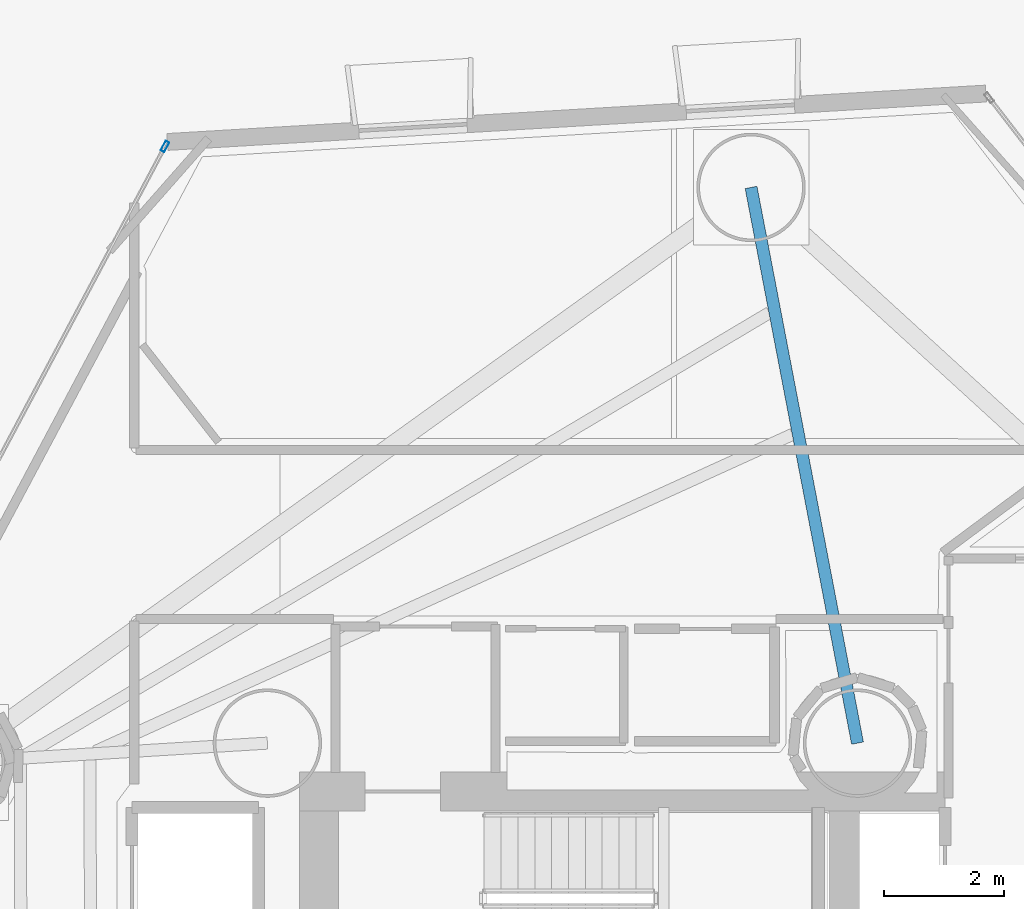
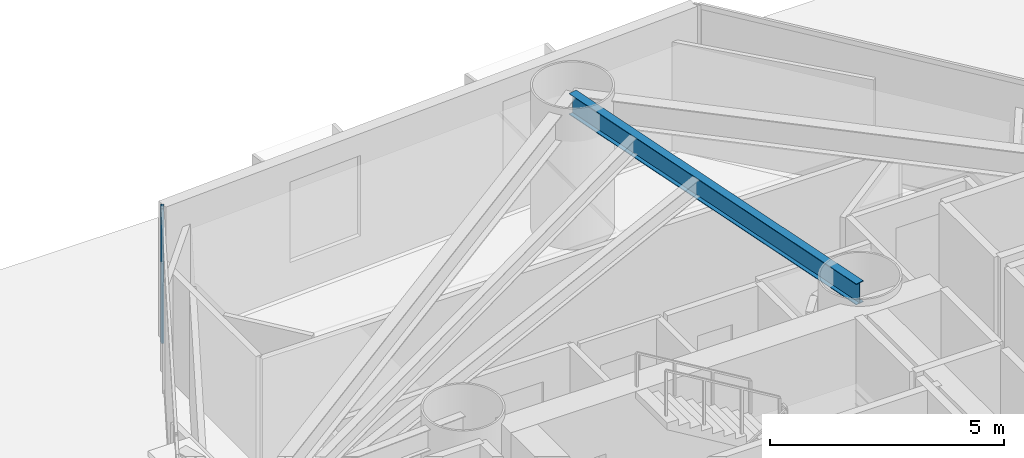
# One storey, part 8 of 22: 1 beam, 1 member, 1 element without a shape of its own.
"""IFC4 building model written with IfcOpenShell, lengths in metres."""

from ifc_helpers import new_model, si_unit, direction, frame, origin, origin_2d, place, context, subcontext, project, spatial, hollow_rectangle, i_section, extrude, material, layer, layer_set, material_profile, profile_set, type_object, element, aggregate, save


model = new_model("IFC4")

# Units and contexts
model_context = context("Model", 3, precision=1e-05, world=origin(), true_north=direction((0.0, 1.0)))
body_context = subcontext(model_context, "Body", "Model", "MODEL_VIEW")
ifc_project = project(units=[si_unit("LENGTHUNIT", "METRE"), si_unit("AREAUNIT", "SQUARE_METRE"), si_unit("VOLUMEUNIT", "CUBIC_METRE"), si_unit("PLANEANGLEUNIT", "RADIAN"), si_unit("MASSUNIT", "GRAM", prefix="KILO")], contexts=[model_context])

# Site, building, storey
site_placement = place(None, origin())
site = spatial("IfcSite", under=ifc_project, at=site_placement, CompositionType="ELEMENT")
building_placement = place(site_placement, origin())
building = spatial("IfcBuilding", under=site, at=building_placement, Name="Qianvela Tower", CompositionType="ELEMENT")
storey_placement = place(building_placement, frame((0.0, 0.0, 25.699951171875)))
storey = spatial("IfcBuildingStorey", under=building, at=storey_placement, Name="L05", CompositionType="ELEMENT", Elevation=25.699951171875)

# Beam
ifc_material_1 = material(Name="Steel Q355B", Category="steel")
ifc_material_profile_1 = material_profile(ifc_material_1, i_section(OverallWidth=0.199951171875, OverallDepth=0.550048828125, WebThickness=0.010009765625, FlangeThickness=0.01611328125, at=origin_2d()), Name="HN550x200x10x16")
ifc_profile_set_1 = profile_set([ifc_material_profile_1], Name="Steel Q355B")
beam_type = type_object("IfcBeamType", Name="BM-HN550-GIRD", PredefinedType="BEAM", material=ifc_profile_set_1)
beam_placement = place(storey_placement, frame((38.39990234375, 33.550048828125, 3.2431640625), z_axis=(-0.188149597911, 0.982140381415, 0.0), x_axis=(-0.982140381415, -0.188149597911, 0.0)))
element("IfcBeam", 1, at=beam_placement, inside=storey, type_object=beam_type, Name="L05 Radial Primary Floor Girder 3", PredefinedType="BEAM", context=body_context, shape_type="SweptSolid", body=[
    extrude(i_section(OverallWidth=0.199951171875, OverallDepth=0.550048828125, WebThickness=0.010009765625, FlangeThickness=0.01611328125, at=origin_2d()), origin(), (0.0, 0.0, 1.0), 9.395751953125),
])

# Curtain wall, member
ifc_material_2 = material(Name="Anodised Architectural Aluminium and Low-E Glass", Category="aluminium")
ifc_layer = layer(ifc_material_2, 0.179931640625)
ifc_layer_set = layer_set([ifc_layer], Name="Anodised Architectural Aluminium and Low-E Glass")
curtain_wall_type = type_object("IfcCurtainWallType", Name="CW-COLIV-Z12", PredefinedType="USERDEFINED", material=ifc_layer_set)
curtain_wall_placement = place(storey_placement, origin())
curtain_wall = element("IfcCurtainWall", 2, at=curtain_wall_placement, inside=storey, type_object=curtain_wall_type, Name="L05 CW-COLIV-Z12 Curtain Wall 04A", ObjectType="CURTAIN_WALL_SYSTEM", PredefinedType="USERDEFINED")
ifc_material_3 = material(Name="Anodised Architectural Aluminium 6063-T6", Category="aluminium")
ifc_material_profile_2 = material_profile(ifc_material_3, hollow_rectangle(XDim=0.070068359375, YDim=0.179931640625, WallThickness=0.0048828125, at=origin_2d()), Name="ALU-MULL-70x180")
ifc_profile_set_2 = profile_set([ifc_material_profile_2], Name="Anodised Architectural Aluminium 6063-T6")
member_type = type_object("IfcMemberType", Name="CW-COLIV-Z12-MULL", PredefinedType="MULLION", material=ifc_profile_set_2)
member_placement = place(storey_placement, frame((26.899169921875, 43.458251953125, 0.0), z_axis=(0.0, 0.0, 1.0), x_axis=(0.882951029841, -0.469465098705, 0.0)))
member = element("IfcMember", 3, at=member_placement, type_object=member_type, Name="CW-3 mullion 1", PredefinedType="MULLION", context=body_context, shape_type="SweptSolid", body=[
    extrude(hollow_rectangle(XDim=0.070068359375, YDim=0.179931640625, WallThickness=0.0048828125, at=origin_2d()), origin(), (0.0, 0.0, 1.0), 3.52001953125),
])
aggregate(curtain_wall, [member])

save(model, "model.ifc")
